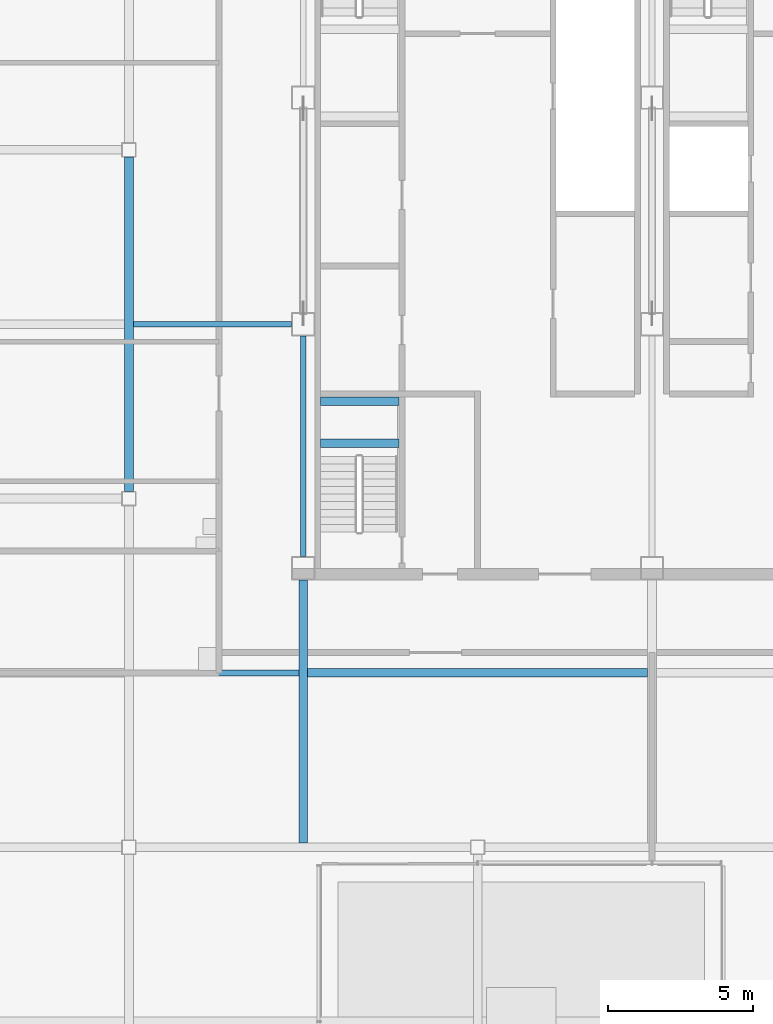
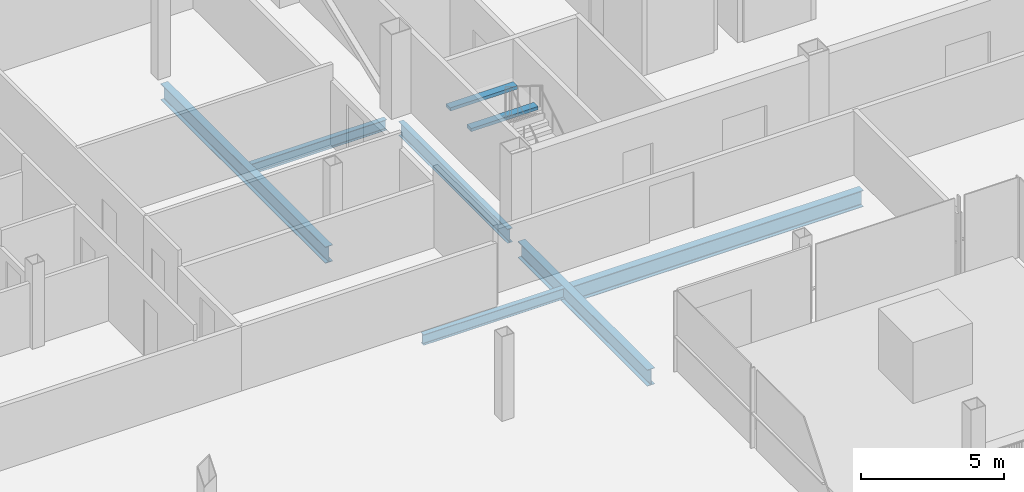
# One storey, part 8 of 27: 8 beams.
"""IFC4 building model written with IfcOpenShell, lengths in metres."""

from ifc_helpers import new_model, si_unit, direction, frame, origin, origin_2d, place, context, subcontext, project, spatial, rectangle, i_section, extrude, material, material_profile, profile_set, type_object, element, save


model = new_model("IFC4")

# Units and contexts
model_context = context("Model", 3, precision=1e-05, world=origin(), true_north=direction((0.0, 1.0)))
body_context = subcontext(model_context, "Body", "Model", "MODEL_VIEW")
ifc_project = project(units=[si_unit("LENGTHUNIT", "METRE"), si_unit("AREAUNIT", "SQUARE_METRE"), si_unit("VOLUMEUNIT", "CUBIC_METRE"), si_unit("PLANEANGLEUNIT", "RADIAN"), si_unit("MASSUNIT", "GRAM", prefix="KILO")], contexts=[model_context])

# Site, building, storey
site_placement = place(None, origin())
site = spatial("IfcSite", under=ifc_project, at=site_placement, CompositionType="ELEMENT")
building_placement = place(site_placement, origin())
building = spatial("IfcBuilding", under=site, at=building_placement, Name="Sorahane Residences", CompositionType="ELEMENT")
storey_placement = place(building_placement, frame((0.0, 0.0, 298.0)))
storey = spatial("IfcBuildingStorey", under=building, at=storey_placement, Name="L70", CompositionType="ELEMENT", Elevation=298.0)

# Beams
ifc_material_1 = material(Name="Concrete C40", Category="concrete")
ifc_material_profile_1 = material_profile(ifc_material_1, rectangle(XDim=0.300048828125, YDim=0.139892578125, at=origin_2d()), Name="300x140")
ifc_profile_set_1 = profile_set([ifc_material_profile_1], Name="Concrete C40")
beam_type_1 = type_object("IfcBeamType", Name="RC landing beam 300 x 140 Concrete C40", PredefinedType="BEAM", material=ifc_profile_set_1)
for number, where, z_axis, x_axis, name in (
    (1, (6.60009765625, 25.89990234375, 1.530029296875), (1.0, 0.0, 0.0), (0.0, 1.0, 0.0), "Landing beam"),
    (2, (6.60009765625, 27.35009765625, 1.530029296875), (1.0, 0.0, 0.0), (0.0, 1.0, 0.0), "Landing beam"),
):
    element("IfcBeam", number, at=place(storey_placement, frame(where, z_axis=z_axis, x_axis=x_axis)), inside=storey, type_object=beam_type_1, Name=name, PredefinedType="BEAM", context=body_context, shape_type="SweptSolid", body=[
        extrude(rectangle(XDim=0.300048828125, YDim=0.139892578125, at=origin_2d()), origin(), (0.0, 0.0, 1.0), 2.699951171875),
    ])
ifc_material_2 = material(Name="Steel Q355B", Category="steel")
ifc_material_profile_2 = material_profile(ifc_material_2, i_section(OverallWidth=0.199951171875, OverallDepth=0.449951171875, WebThickness=0.009033203125, FlangeThickness=0.013916015625, FilletRadius=0.02001953125, at=origin_2d()), Name="HN 450x200x9x14")
ifc_profile_set_2 = profile_set([ifc_material_profile_2], Name="Steel Q355B")
beam_type_2 = type_object("IfcBeamType", Name="Steel floor beam HN 450x200x9x14 Q355B", PredefinedType="BEAM", material=ifc_profile_set_2)
beam_1_placement = place(storey_placement, frame((0.14990234375, 18.0, -0.405029296875), z_axis=(1.0, 0.0, 0.0), x_axis=(0.0, 1.0, 0.0)))
element("IfcBeam", 3, at=beam_1_placement, inside=storey, type_object=beam_type_2, Name="Beam L70 074", PredefinedType="BEAM", context=body_context, shape_type="SweptSolid", body=[
    extrude(i_section(OverallWidth=0.199951171875, OverallDepth=0.449951171875, WebThickness=0.009033203125, FlangeThickness=0.013916015625, FilletRadius=0.02001953125, at=origin_2d()), origin(), (0.0, 0.0, 1.0), 5.7001953125),
])
beam_2_placement = place(storey_placement, frame((0.14990234375, 30.0, -0.405029296875), z_axis=(1.0, 0.0, 0.0), x_axis=(0.0, 1.0, 0.0)))
element("IfcBeam", 4, at=beam_2_placement, inside=storey, type_object=beam_type_2, Name="Beam L70 081", PredefinedType="BEAM", context=body_context, shape_type="SweptSolid", body=[
    extrude(i_section(OverallWidth=0.199951171875, OverallDepth=0.449951171875, WebThickness=0.009033203125, FlangeThickness=0.013916015625, FilletRadius=0.02001953125, at=origin_2d()), origin(), (0.0, 0.0, 1.0), 5.4501953125),
])
ifc_material_3 = material(Name="Steel Q355B", Category="steel")
ifc_material_profile_3 = material_profile(ifc_material_3, i_section(OverallWidth=0.199951171875, OverallDepth=0.60009765625, WebThickness=0.010986328125, FlangeThickness=0.01708984375, FilletRadius=0.02392578125, at=origin_2d()), Name="HN 600x200x11x17")
ifc_profile_set_3 = profile_set([ifc_material_profile_3], Name="Steel Q355B")
beam_type_3 = type_object("IfcBeamType", Name="Steel floor beam HN 600x200x11x17 Q355B", PredefinedType="BEAM", material=ifc_profile_set_3)
beam_3_placement = place(storey_placement, frame((6.0, 22.0, -0.47998046875), z_axis=(0.0, 1.0, 0.0), x_axis=(-1.0, 0.0, 0.0)))
element("IfcBeam", 5, at=beam_3_placement, inside=storey, type_object=beam_type_3, Name="Beam L70 033", PredefinedType="BEAM", context=body_context, shape_type="SweptSolid", body=[
    extrude(i_section(OverallWidth=0.199951171875, OverallDepth=0.60009765625, WebThickness=0.010986328125, FlangeThickness=0.01708984375, FilletRadius=0.02392578125, at=origin_2d()), origin(), (0.0, 0.0, 1.0), 7.60009765625),
])
ifc_material_4 = material(Name="Steel Q355B", Category="steel")
ifc_material_profile_4 = material_profile(ifc_material_4, i_section(OverallWidth=0.300048828125, OverallDepth=0.699951171875, WebThickness=0.012939453125, FlangeThickness=0.02392578125, FilletRadius=0.028076171875, at=origin_2d()), Name="HN 700x300x13x24")
ifc_profile_set_4 = profile_set([ifc_material_profile_4], Name="Steel Q355B")
beam_type_4 = type_object("IfcBeamType", Name="Steel floor beam HN 700x300x13x24 Q355B", PredefinedType="BEAM", material=ifc_profile_set_4)
beam_4_placement = place(storey_placement, frame((0.0, 24.25, -0.530029296875), z_axis=(0.0, 1.0, 0.0), x_axis=(-1.0, 0.0, 0.0)))
element("IfcBeam", 6, at=beam_4_placement, inside=storey, type_object=beam_type_4, Name="Beam L70 030", PredefinedType="BEAM", context=body_context, shape_type="SweptSolid", body=[
    extrude(i_section(OverallWidth=0.300048828125, OverallDepth=0.699951171875, WebThickness=0.012939453125, FlangeThickness=0.02392578125, FilletRadius=0.028076171875, at=origin_2d()), origin(), (0.0, 0.0, 1.0), 11.5),
])
beam_5_placement = place(storey_placement, frame((6.0, 12.14990234375, -0.530029296875), z_axis=(0.0, 1.0, 0.0), x_axis=(-1.0, 0.0, 0.0)))
element("IfcBeam", 7, at=beam_5_placement, inside=storey, type_object=beam_type_4, Name="Beam L70 032", PredefinedType="BEAM", context=body_context, shape_type="SweptSolid", body=[
    extrude(i_section(OverallWidth=0.300048828125, OverallDepth=0.699951171875, WebThickness=0.012939453125, FlangeThickness=0.02392578125, FilletRadius=0.028076171875, at=origin_2d()), origin(), (0.0, 0.0, 1.0), 9.050048828125),
])
beam_6_placement = place(storey_placement, frame((6.14990234375, 18.0, -0.530029296875), z_axis=(1.0, 0.0, 0.0), x_axis=(0.0, 1.0, 0.0)))
element("IfcBeam", 8, at=beam_6_placement, inside=storey, type_object=beam_type_4, Name="Beam L70 075", PredefinedType="BEAM", context=body_context, shape_type="SweptSolid", body=[
    extrude(i_section(OverallWidth=0.300048828125, OverallDepth=0.699951171875, WebThickness=0.012939453125, FlangeThickness=0.02392578125, FilletRadius=0.028076171875, at=origin_2d()), origin(), (0.0, 0.0, 1.0), 11.7001953125),
])

save(model, "model.ifc")
